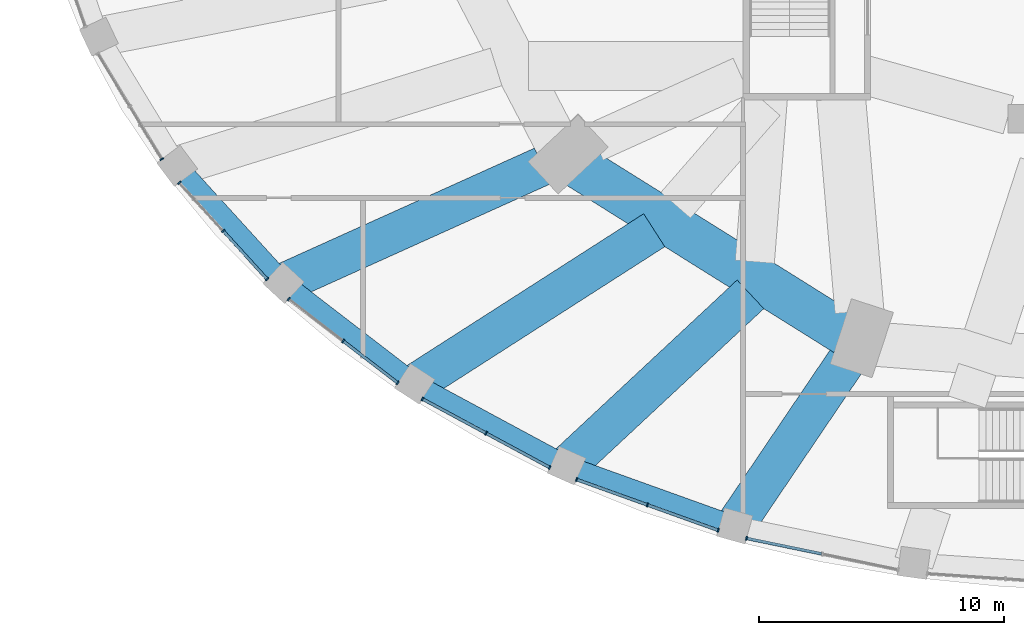
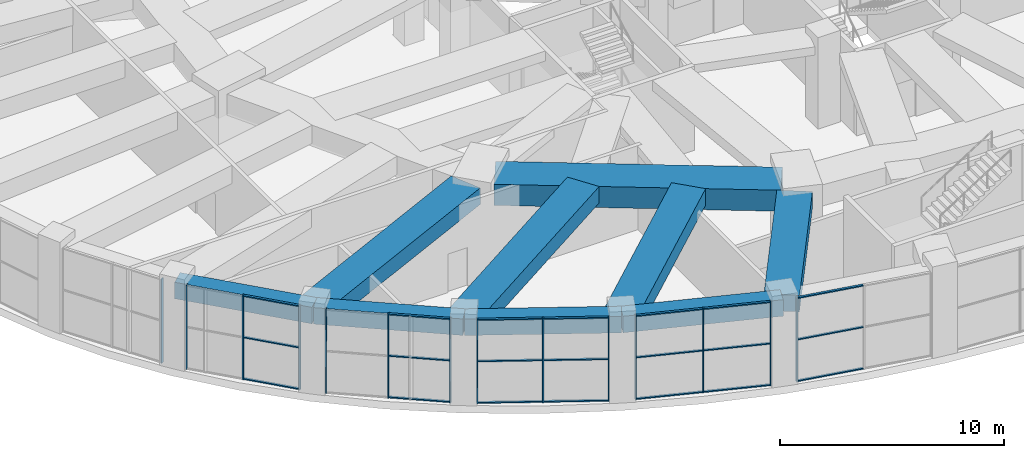
# One storey, part 2 of 32: 35 members, 9 beams, 6 elements without a shape of their own.
"""IFC4 building model written with IfcOpenShell, lengths in metres."""

import ifcopenshell
import ifcopenshell.guid

model = None  # the IFC model being written
_history = None  # IfcOwnerHistory: only IFC2X3 demands one
_inside = {}  # id of a spatial element -> (the spatial element, [elements in it])
_under = {}  # id of a project, library or spatial element -> (it, [spatial elements below it])
_declared = {}  # id of a project -> (the project, [libraries it declares])
_typed = {}  # id of a type object -> (the type object, [elements of that type])
_made_of = {}  # id of a material, layer set ... -> (it, [elements and type objects made of it])


def new_model(schema):
    """Start an empty IFC model of exactly this schema.

    Asked for "IFC4X3", IfcOpenShell would pick the latest addendum, in which some entities
    have other attributes; the version numbers below select the first issue.
    IFC2X3 requires an IfcOwnerHistory on every rooted entity: one is made here for all.
    """
    global model, _history
    if schema == "IFC4X3":
        model = ifcopenshell.file(schema_version=(4, 3, 0, 0))
    else:
        model = ifcopenshell.file(schema=schema)
    _inside.clear()
    _under.clear()
    _declared.clear()
    _typed.clear()
    _made_of.clear()
    _history = None
    if model.schema == "IFC2X3":
        org = make("IfcOrganization", Name="unknown")
        user = make(
            "IfcPersonAndOrganization",
            ThePerson=make("IfcPerson", FamilyName="unknown"),
            TheOrganization=org,
        )
        app = make(
            "IfcApplication",
            ApplicationDeveloper=org,
            Version="unknown",
            ApplicationFullName="unknown",
            ApplicationIdentifier="unknown",
        )
        _history = make(
            "IfcOwnerHistory",
            OwningUser=user,
            OwningApplication=app,
            ChangeAction="ADDED",
            CreationDate=0,
        )
    return model


def make(cls, **values):
    """One entity of the class cls with the attributes given. An attribute that is None is left unset."""
    return model.create_entity(
        cls, **{name: value for name, value in values.items() if value is not None}
    )


def rooted(cls, **values):
    """An entity with a GlobalId (a new one), such as an element, a storey or a relation."""
    return make(cls, GlobalId=ifcopenshell.guid.new(), OwnerHistory=_history, **values)


def si_unit(unit_type, name, prefix=None):
    """IfcSIUnit, for example si_unit("LENGTHUNIT", "METRE", prefix="MILLI")."""
    return make("IfcSIUnit", UnitType=unit_type, Prefix=prefix, Name=name)


def assignment(units):
    """IfcUnitAssignment: the units of a project."""
    return None if units is None else make("IfcUnitAssignment", Units=units)


def point(xyz):
    """IfcCartesianPoint."""
    return None if xyz is None else make("IfcCartesianPoint", Coordinates=xyz)


def direction(xyz):
    """IfcDirection."""
    return None if xyz is None else make("IfcDirection", DirectionRatios=xyz)


def frame(location, z_axis=None, x_axis=None):
    """IfcAxis2Placement3D, a coordinate frame: its origin and axes. An axis left out is left unset."""
    return make(
        "IfcAxis2Placement3D",
        Location=point(location),
        Axis=direction(z_axis),
        RefDirection=direction(x_axis),
    )


def frame_2d(location, x_axis=None):
    """IfcAxis2Placement2D, a coordinate frame in the plane: its origin and x axis."""
    return make(
        "IfcAxis2Placement2D", Location=point(location), RefDirection=direction(x_axis)
    )


def origin():
    """The frame at (0, 0, 0) with its axes left unset."""
    return frame((0.0, 0.0, 0.0))


def origin_2d():
    """The frame at (0, 0) in the plane with its x axis left unset."""
    return frame_2d((0.0, 0.0))


def place(relative_to, where):
    """IfcLocalPlacement: puts the frame where relative to a parent placement (None: the world)."""
    return make(
        "IfcLocalPlacement", PlacementRelTo=relative_to, RelativePlacement=where
    )


def context(
    kind, dimensions, precision=None, world=None, true_north=None, identifier=None
):
    """IfcGeometricRepresentationContext, for example the 3D "Model" context."""
    return make(
        "IfcGeometricRepresentationContext",
        ContextIdentifier=identifier,
        ContextType=kind,
        CoordinateSpaceDimension=dimensions,
        Precision=precision,
        WorldCoordinateSystem=world,
        TrueNorth=true_north,
    )


def subcontext(parent, identifier, kind, view, scale=None):
    """IfcGeometricRepresentationSubContext, for example "Body" below "Model"."""
    return make(
        "IfcGeometricRepresentationSubContext",
        ContextIdentifier=identifier,
        ContextType=kind,
        ParentContext=parent,
        TargetScale=scale,
        TargetView=view,
    )


def project(units=None, contexts=None):
    """IfcProject with its units and contexts."""
    return rooted(
        "IfcProject",
        Name="project",
        RepresentationContexts=contexts,
        UnitsInContext=assignment(units),
    )


def spatial(cls, under=None, at=None, **own):
    """A site, building, storey or space (cls), placed at a placement, below another one or the project."""
    s = rooted(cls, ObjectPlacement=at, **own)
    if under is not None:
        _under.setdefault(under.id(), (under, []))[1].append(s)
    return s


def profile(cls, at=None, kind="AREA", **sizes):
    """A parametric profile (cls). Its sizes go by their IFC names, for example OverallWidth=200.0."""
    return make(cls, ProfileType=kind, Position=at, **sizes)


def rectangle(**sizes):
    """IfcRectangleProfileDef."""
    return profile("IfcRectangleProfileDef", **sizes)


def extrude(swept, where, along, depth):
    """IfcExtrudedAreaSolid: the profile swept, set in the frame where, extruded along a direction by depth."""
    return make(
        "IfcExtrudedAreaSolid",
        SweptArea=swept,
        Position=where,
        ExtrudedDirection=direction(along),
        Depth=depth,
    )


def shape(context_of_items, identifier, shape_type, items):
    """IfcShapeRepresentation: the items that make up one representation, for example the "Body"."""
    return make(
        "IfcShapeRepresentation",
        ContextOfItems=context_of_items,
        RepresentationIdentifier=identifier,
        RepresentationType=shape_type,
        Items=items,
    )


def material(Name=None, Category=None):
    """IfcMaterial."""
    return make("IfcMaterial", Name=Name, Category=Category)


def material_profile(
    of_material, cross_section, Name=None, Category=None, Priority=None
):
    """IfcMaterialProfile: a cross section and its material."""
    return make(
        "IfcMaterialProfile",
        Name=Name,
        Material=of_material,
        Profile=cross_section,
        Priority=Priority,
        Category=Category,
    )


def profile_set(profiles, Name=None, composite=None):
    """IfcMaterialProfileSet."""
    return make(
        "IfcMaterialProfileSet",
        Name=Name,
        MaterialProfiles=profiles,
        CompositeProfile=composite,
    )


def made_of(thing, what):
    """Note that an element or type object is made of a material, layer set ...; save() writes the relation."""
    if what is not None:
        _made_of.setdefault(what.id(), (what, []))[1].append(thing)
    return thing


def type_object(cls, material=None, **own):
    """A type object (cls), such as IfcWallType, which elements share."""
    return made_of(rooted(cls, **own), material)


def element(
    cls,
    number,
    at=None,
    inside=None,
    cuts=None,
    type_object=None,
    material=None,
    context=None,
    identifier="Body",
    shape_type=None,
    held_by="IfcProductDefinitionShape",
    body=None,
    shapes=None,
    **own,
):
    """One element of the class cls, such as IfcWall. Its Tag is "e" and its number.

    at: its placement. inside: the storey or other place that contains it. cuts: it is an
    opening in that element (IfcRelVoidsElement). A single representation is given by context,
    identifier, shape_type and body (its items); several are given by shapes. held_by: the class
    of the entity that holds the representations. save() writes the other relations.
    """
    e = rooted(cls, Tag="e%d" % number, ObjectPlacement=at, **own)
    if body is not None:
        shapes = [shape(context, identifier, shape_type, body)]
    if shapes is not None:
        e.Representation = make(held_by, Representations=shapes)
    if inside is not None:
        _inside.setdefault(inside.id(), (inside, []))[1].append(e)
    if cuts is not None:
        rooted(
            "IfcRelVoidsElement", RelatingBuildingElement=cuts, RelatedOpeningElement=e
        )
    if type_object is not None:
        _typed.setdefault(type_object.id(), (type_object, []))[1].append(e)
    return made_of(e, material)


def aggregate(whole, parts):
    """IfcRelAggregates: a whole, such as a stair, and the parts it consists of."""
    return rooted("IfcRelAggregates", RelatingObject=whole, RelatedObjects=parts)


def save(model, path):
    """Write the relations noted so far, then the file.

    IfcRelAggregates (storeys below a building ...), IfcRelContainedInSpatialStructure (elements
    in a storey), IfcRelDefinesByType, IfcRelAssociatesMaterial and IfcRelDeclares: one each for
    every whole, place, type object, material and project.
    """
    for whole, parts in _under.values():
        aggregate(whole, parts)
    for where, things in _inside.values():
        rooted(
            "IfcRelContainedInSpatialStructure",
            RelatedElements=things,
            RelatingStructure=where,
        )
    for kind, things in _typed.values():
        rooted("IfcRelDefinesByType", RelatedObjects=things, RelatingType=kind)
    for what, things in _made_of.values():
        rooted("IfcRelAssociatesMaterial", RelatedObjects=things, RelatingMaterial=what)
    for by, libraries in _declared.values():
        rooted("IfcRelDeclares", RelatingContext=by, RelatedDefinitions=libraries)
    model.write(path)


model = new_model("IFC4")

# Units and contexts
model_context = context("Model", 3, precision=1e-05, world=origin(), true_north=direction((0.0, 1.0)))
body_context = subcontext(model_context, "Body", "Model", "MODEL_VIEW")
ifc_project = project(units=[si_unit("LENGTHUNIT", "METRE"), si_unit("AREAUNIT", "SQUARE_METRE"), si_unit("VOLUMEUNIT", "CUBIC_METRE"), si_unit("PLANEANGLEUNIT", "RADIAN"), si_unit("MASSUNIT", "GRAM", prefix="KILO")], contexts=[model_context])

# Site, building, storey
site_placement = place(None, origin())
site = spatial("IfcSite", under=ifc_project, at=site_placement, CompositionType="ELEMENT")
building_placement = place(site_placement, origin())
building = spatial("IfcBuilding", under=site, at=building_placement, Name="Taillehof Tower", CompositionType="ELEMENT")
storey_placement = place(building_placement, frame((0.0, 0.0, 7.5)))
storey = spatial("IfcBuildingStorey", under=building, at=storey_placement, Name="L01", CompositionType="ELEMENT", Elevation=7.5)

# Beams
ifc_material_1 = material(Name="Concrete C50/60", Category="concrete")
ifc_material_profile_1 = material_profile(ifc_material_1, rectangle(XDim=0.800048828125, YDim=0.89990234375, at=origin_2d()), Name="RC 800x900")
ifc_profile_set_1 = profile_set([ifc_material_profile_1], Name="Concrete C50/60")
beam_type_1 = type_object("IfcBeamType", Name="Podium edge beam C50/60 800x900", PredefinedType="BEAM", material=ifc_profile_set_1)
beam_1_placement = place(storey_placement, frame((-37.58544921875, -16.699951171875, 4.139892578125), z_axis=(0.67297994181, -0.739660731634, 0.0), x_axis=(0.739660731634, 0.67297994181, 0.0)))
element("IfcBeam", 1, at=beam_1_placement, inside=storey, type_object=beam_type_1, Name="Podium edge beam PB22", PredefinedType="BEAM", context=body_context, shape_type="SweptSolid", body=[
    extrude(rectangle(XDim=0.800048828125, YDim=0.89990234375, at=origin_2d()), origin(), (0.0, 0.0, 1.0), 6.447509765625),
])
beam_2_placement = place(storey_placement, frame((-33.246337890625, -21.468994140625, 4.139892578125), z_axis=(0.79247741179, -0.609901263978, 0.0), x_axis=(0.609901263978, 0.79247741179, 0.0)))
element("IfcBeam", 2, at=beam_2_placement, inside=storey, type_object=beam_type_1, Name="Podium edge beam PB23", PredefinedType="BEAM", context=body_context, shape_type="SweptSolid", body=[
    extrude(rectangle(XDim=0.800048828125, YDim=0.89990234375, at=origin_2d()), origin(), (0.0, 0.0, 1.0), 6.750244140625),
])
beam_3_placement = place(storey_placement, frame((-27.89697265625, -25.5859375, 4.139892578125), z_axis=(0.880322944269, -0.474374866317, 0.0), x_axis=(0.474374866317, 0.880322944269, 0.0)))
element("IfcBeam", 3, at=beam_3_placement, inside=storey, type_object=beam_type_1, Name="Podium edge beam PB24", PredefinedType="BEAM", context=body_context, shape_type="SweptSolid", body=[
    extrude(rectangle(XDim=0.800048828125, YDim=0.89990234375, at=origin_2d()), origin(), (0.0, 0.0, 1.0), 7.03955078125),
])
beam_4_placement = place(storey_placement, frame((-21.699951171875, -28.92529296875, 4.139892578125), z_axis=(0.941227460002, -0.337773398209, 0.0), x_axis=(0.337773398209, 0.941227460002, 0.0)))
element("IfcBeam", 4, at=beam_4_placement, inside=storey, type_object=beam_type_1, Name="Podium edge beam PB25", PredefinedType="BEAM", context=body_context, shape_type="SweptSolid", body=[
    extrude(rectangle(XDim=0.800048828125, YDim=0.89990234375, at=origin_2d()), origin(), (0.0, 0.0, 1.0), 7.284423828125),
])
ifc_material_2 = material(Name="Concrete C50/60", Category="concrete")
ifc_material_profile_2 = material_profile(ifc_material_2, rectangle(XDim=1.60009765625, YDim=0.89990234375, at=origin_2d()), Name="RC 1600x900")
ifc_profile_set_2 = profile_set([ifc_material_profile_2], Name="Concrete C50/60")
beam_type_2 = type_object("IfcBeamType", Name="Podium radial beam C50/60 1600x900", PredefinedType="BEAM", material=ifc_profile_set_2)
beam_5_placement = place(storey_placement, frame((-33.246337890625, -21.468994140625, 4.139892578125), z_axis=(0.911450628646, 0.411409469436, 0.0), x_axis=(-0.411409469436, 0.911450628646, 0.0)))
element("IfcBeam", 5, at=beam_5_placement, inside=storey, type_object=beam_type_2, Name="Podium radial beam PR23", PredefinedType="BEAM", context=body_context, shape_type="SweptSolid", body=[
    extrude(rectangle(XDim=1.60009765625, YDim=0.89990234375, at=origin_2d()), origin(), (0.0, 0.0, 1.0), 11.58837890625),
])
beam_6_placement = place(storey_placement, frame((-27.89697265625, -25.5859375, 4.139892578125), z_axis=(0.841846298209, 0.539717342867, 0.0), x_axis=(-0.539717342867, 0.841846298209, 0.0)))
element("IfcBeam", 6, at=beam_6_placement, inside=storey, type_object=beam_type_2, Name="Podium radial beam PR24", PredefinedType="BEAM", context=body_context, shape_type="SweptSolid", body=[
    extrude(rectangle(XDim=1.60009765625, YDim=0.89990234375, at=origin_2d()), origin(), (0.0, 0.0, 1.0), 11.60546875),
])
beam_7_placement = place(storey_placement, frame((-21.699951171875, -28.92529296875, 4.139892578125), z_axis=(0.731628479701, 0.681703577583, 0.0), x_axis=(-0.681703577583, 0.731628479701, 0.0)))
element("IfcBeam", 7, at=beam_7_placement, inside=storey, type_object=beam_type_2, Name="Podium radial beam PR25", PredefinedType="BEAM", context=body_context, shape_type="SweptSolid", body=[
    extrude(rectangle(XDim=1.60009765625, YDim=0.89990234375, at=origin_2d()), origin(), (0.0, 0.0, 1.0), 10.249755859375),
])
beam_8_placement = place(storey_placement, frame((-14.84375, -31.3857421875, 4.139892578125), z_axis=(0.560381534031, 0.828234590147, 0.0), x_axis=(-0.828234590147, 0.560381534031, 0.0)))
element("IfcBeam", 8, at=beam_8_placement, inside=storey, type_object=beam_type_2, Name="Podium radial beam PR26", PredefinedType="BEAM", context=body_context, shape_type="SweptSolid", body=[
    extrude(rectangle(XDim=1.60009765625, YDim=0.89990234375, at=origin_2d()), origin(), (0.0, 0.0, 1.0), 8.123046875),
])

# Curtain wall, member
ifc_material_3 = material(Name="Aluminium curtain wall with Clear low-emissivity double glazing", Category="aluminium")
curtain_wall_type = type_object("IfcCurtainWallType", Name="Podium window wall curtain wall", PredefinedType="USERDEFINED", material=ifc_material_3)
curtain_wall_1_placement = place(storey_placement, origin())
curtain_wall_1 = element("IfcCurtainWall", 9, at=curtain_wall_1_placement, inside=storey, type_object=curtain_wall_type, Name="Podium window wall L01 bay 21", ObjectType="WINDOW WALL", PredefinedType="USERDEFINED")
ifc_material_4 = material(Name="Aluminium mullion", Category="aluminium")
ifc_material_profile_3 = material_profile(ifc_material_4, rectangle(XDim=0.159912109375, YDim=0.06005859375, at=origin_2d()), Name="AL 60x160")
ifc_profile_set_3 = profile_set([ifc_material_profile_3], Name="Aluminium mullion")
member_type_1 = type_object("IfcMemberType", Name="Podium window wall mullion 60x160", PredefinedType="MULLION", material=ifc_profile_set_3)
member_1_placement = place(storey_placement, frame((-38.217529296875, -16.42333984375, 0.0), z_axis=(0.0, 0.0, 1.0), x_axis=(0.855288863309, 0.518151483931, 0.0)))
member_1 = element("IfcMember", 10, at=member_1_placement, type_object=member_type_1, Name="CT221 mullion 3", PredefinedType="MULLION", context=body_context, shape_type="SweptSolid", body=[
    extrude(rectangle(XDim=0.159912109375, YDim=0.06005859375, at=origin_2d()), origin(), (0.0, 0.0, 1.0), 4.590087890625),
])
aggregate(curtain_wall_1, [member_1])

# Curtain wall, members
curtain_wall_2_placement = place(storey_placement, origin())
curtain_wall_2 = element("IfcCurtainWall", 11, at=curtain_wall_2_placement, inside=storey, type_object=curtain_wall_type, Name="Podium window wall L01 bay 22", ObjectType="WINDOW WALL", PredefinedType="USERDEFINED")
member_2_placement = place(storey_placement, frame((-37.49951171875, -17.384765625, 0.0), z_axis=(0.0, 0.0, 1.0), x_axis=(0.739707112587, 0.672928961769, 0.0)))
member_2 = element("IfcMember", 12, at=member_2_placement, type_object=member_type_1, Name="CT222 mullion 1", PredefinedType="MULLION", context=body_context, shape_type="SweptSolid", body=[
    extrude(rectangle(XDim=0.159912109375, YDim=0.06005859375, at=origin_2d()), origin(), (0.0, 0.0, 1.0), 4.590087890625),
])
member_3_placement = place(storey_placement, frame((-35.7109375, -19.35107421875, 0.0), z_axis=(0.0, 0.0, 1.0), x_axis=(0.739707112587, 0.672928961769, 0.0)))
member_3 = element("IfcMember", 13, at=member_3_placement, type_object=member_type_1, Name="CT222 mullion 2", PredefinedType="MULLION", context=body_context, shape_type="SweptSolid", body=[
    extrude(rectangle(XDim=0.159912109375, YDim=0.06005859375, at=origin_2d()), origin(), (0.0, 0.0, 1.0), 4.590087890625),
])
member_4_placement = place(storey_placement, frame((-33.922119140625, -21.317138671875, 0.0), z_axis=(0.0, 0.0, 1.0), x_axis=(0.739707112587, 0.672928961769, 0.0)))
member_4 = element("IfcMember", 14, at=member_4_placement, type_object=member_type_1, Name="CT222 mullion 3", PredefinedType="MULLION", context=body_context, shape_type="SweptSolid", body=[
    extrude(rectangle(XDim=0.159912109375, YDim=0.06005859375, at=origin_2d()), origin(), (0.0, 0.0, 1.0), 4.590087890625),
])

curtain_wall_3_placement = place(storey_placement, origin())
curtain_wall_3 = element("IfcCurtainWall", 15, at=curtain_wall_3_placement, inside=storey, type_object=curtain_wall_type, Name="Podium window wall L01 bay 23", ObjectType="WINDOW WALL", PredefinedType="USERDEFINED")
member_5_placement = place(storey_placement, frame((-33.03955078125, -22.130126953125, 0.0), z_axis=(0.0, 0.0, 1.0), x_axis=(0.60993206075, 0.792453709228, 0.0)))
member_5 = element("IfcMember", 16, at=member_5_placement, type_object=member_type_1, Name="CT223 mullion 1", PredefinedType="MULLION", context=body_context, shape_type="SweptSolid", body=[
    extrude(rectangle(XDim=0.159912109375, YDim=0.06005859375, at=origin_2d()), origin(), (0.0, 0.0, 1.0), 4.590087890625),
])
member_6_placement = place(storey_placement, frame((-30.8154296875, -23.842041015625, 0.0), z_axis=(0.0, 0.0, 1.0), x_axis=(0.60993206075, 0.792453709228, 0.0)))
member_6 = element("IfcMember", 17, at=member_6_placement, type_object=member_type_1, Name="CT223 mullion 2", PredefinedType="MULLION", context=body_context, shape_type="SweptSolid", body=[
    extrude(rectangle(XDim=0.159912109375, YDim=0.06005859375, at=origin_2d()), origin(), (0.0, 0.0, 1.0), 4.590087890625),
])
member_7_placement = place(storey_placement, frame((-28.59130859375, -25.5537109375, 0.0), z_axis=(0.0, 0.0, 1.0), x_axis=(0.60993206075, 0.792453709228, 0.0)))
member_7 = element("IfcMember", 18, at=member_7_placement, type_object=member_type_1, Name="CT223 mullion 3", PredefinedType="MULLION", context=body_context, shape_type="SweptSolid", body=[
    extrude(rectangle(XDim=0.159912109375, YDim=0.06005859375, at=origin_2d()), origin(), (0.0, 0.0, 1.0), 4.590087890625),
])

curtain_wall_4_placement = place(storey_placement, origin())
curtain_wall_4 = element("IfcCurtainWall", 19, at=curtain_wall_4_placement, inside=storey, type_object=curtain_wall_type, Name="Podium window wall L01 bay 24", ObjectType="WINDOW WALL", PredefinedType="USERDEFINED")
member_8_placement = place(storey_placement, frame((-27.584228515625, -26.20654296875, 0.0), z_axis=(0.0, 0.0, 1.0), x_axis=(0.474414781992, 0.880301433958, 0.0)))
member_8 = element("IfcMember", 20, at=member_8_placement, type_object=member_type_1, Name="CT224 mullion 1", PredefinedType="MULLION", context=body_context, shape_type="SweptSolid", body=[
    extrude(rectangle(XDim=0.159912109375, YDim=0.06005859375, at=origin_2d()), origin(), (0.0, 0.0, 1.0), 4.590087890625),
])
member_9_placement = place(storey_placement, frame((-24.98828125, -27.60546875, 0.0), z_axis=(0.0, 0.0, 1.0), x_axis=(0.474414781992, 0.880301433958, 0.0)))
member_9 = element("IfcMember", 21, at=member_9_placement, type_object=member_type_1, Name="CT224 mullion 2", PredefinedType="MULLION", context=body_context, shape_type="SweptSolid", body=[
    extrude(rectangle(XDim=0.159912109375, YDim=0.06005859375, at=origin_2d()), origin(), (0.0, 0.0, 1.0), 4.590087890625),
])
member_10_placement = place(storey_placement, frame((-22.392333984375, -29.004638671875, 0.0), z_axis=(0.0, 0.0, 1.0), x_axis=(0.474414781992, 0.880301433958, 0.0)))
member_10 = element("IfcMember", 22, at=member_10_placement, type_object=member_type_1, Name="CT224 mullion 3", PredefinedType="MULLION", context=body_context, shape_type="SweptSolid", body=[
    extrude(rectangle(XDim=0.159912109375, YDim=0.06005859375, at=origin_2d()), origin(), (0.0, 0.0, 1.0), 4.590087890625),
])

curtain_wall_5_placement = place(storey_placement, origin())
curtain_wall_5 = element("IfcCurtainWall", 23, at=curtain_wall_5_placement, inside=storey, type_object=curtain_wall_type, Name="Podium window wall L01 bay 25", ObjectType="WINDOW WALL", PredefinedType="USERDEFINED")
member_11_placement = place(storey_placement, frame((-21.29638671875, -29.4931640625, 0.0), z_axis=(0.0, 0.0, 1.0), x_axis=(0.337798502496, 0.94121845058, 0.0)))
member_11 = element("IfcMember", 24, at=member_11_placement, type_object=member_type_1, Name="CT225 mullion 1", PredefinedType="MULLION", context=body_context, shape_type="SweptSolid", body=[
    extrude(rectangle(XDim=0.159912109375, YDim=0.06005859375, at=origin_2d()), origin(), (0.0, 0.0, 1.0), 4.590087890625),
])
member_12_placement = place(storey_placement, frame((-18.4072265625, -30.5302734375, 0.0), z_axis=(0.0, 0.0, 1.0), x_axis=(0.337798502496, 0.94121845058, 0.0)))
member_12 = element("IfcMember", 25, at=member_12_placement, type_object=member_type_1, Name="CT225 mullion 2", PredefinedType="MULLION", context=body_context, shape_type="SweptSolid", body=[
    extrude(rectangle(XDim=0.159912109375, YDim=0.06005859375, at=origin_2d()), origin(), (0.0, 0.0, 1.0), 4.590087890625),
])
member_13_placement = place(storey_placement, frame((-15.51806640625, -31.567138671875, 0.0), z_axis=(0.0, 0.0, 1.0), x_axis=(0.337798502496, 0.94121845058, 0.0)))
member_13 = element("IfcMember", 26, at=member_13_placement, type_object=member_type_1, Name="CT225 mullion 3", PredefinedType="MULLION", context=body_context, shape_type="SweptSolid", body=[
    extrude(rectangle(XDim=0.159912109375, YDim=0.06005859375, at=origin_2d()), origin(), (0.0, 0.0, 1.0), 4.590087890625),
])

# Curtain wall, member
curtain_wall_6_placement = place(storey_placement, origin())
curtain_wall_6 = element("IfcCurtainWall", 27, at=curtain_wall_6_placement, inside=storey, type_object=curtain_wall_type, Name="Podium window wall L01 bay 26", ObjectType="WINDOW WALL", PredefinedType="USERDEFINED")
member_14_placement = place(storey_placement, frame((-14.36279296875, -31.891845703125, 0.0), z_axis=(0.0, 0.0, 1.0), x_axis=(0.201976001877, 0.97939047099, 0.0)))
member_14 = element("IfcMember", 28, at=member_14_placement, type_object=member_type_1, Name="CT226 mullion 1", PredefinedType="MULLION", context=body_context, shape_type="SweptSolid", body=[
    extrude(rectangle(XDim=0.159912109375, YDim=0.06005859375, at=origin_2d()), origin(), (0.0, 0.0, 1.0), 4.590087890625),
])

# Member
ifc_material_5 = material(Name="Aluminium transom", Category="aluminium")
ifc_material_profile_4 = material_profile(ifc_material_5, rectangle(XDim=0.1201171875, YDim=0.06005859375, at=origin_2d()), Name="AL 120x60")
ifc_profile_set_4 = profile_set([ifc_material_profile_4], Name="Aluminium transom")
member_type_2 = type_object("IfcMemberType", Name="Podium window wall transom 120x60", PredefinedType="USERDEFINED", material=ifc_profile_set_4)
member_15_placement = place(storey_placement, frame((-35.690673828125, -19.373291015625, 0.030029296875), z_axis=(0.672958072108, -0.73968062918, 0.0), x_axis=(0.73968062918, 0.672958072108, 0.0)))
member_15 = element("IfcMember", 29, at=member_15_placement, type_object=member_type_2, Name="CT222 transom 2.1", ObjectType="TRANSOM", PredefinedType="USERDEFINED", context=body_context, shape_type="SweptSolid", body=[
    extrude(rectangle(XDim=0.1201171875, YDim=0.06005859375, at=origin_2d()), origin(), (0.0, 0.0, 1.0), 2.597900390625),
])

member_16_placement = place(storey_placement, frame((-35.690673828125, -19.373291015625, 2.294921875), z_axis=(0.672958072108, -0.73968062918, 0.0), x_axis=(0.73968062918, 0.672958072108, 0.0)))
member_16 = element("IfcMember", 30, at=member_16_placement, type_object=member_type_2, Name="CT222 transom 2.2", ObjectType="TRANSOM", PredefinedType="USERDEFINED", context=body_context, shape_type="SweptSolid", body=[
    extrude(rectangle(XDim=0.1201171875, YDim=0.06005859375, at=origin_2d()), origin(), (0.0, 0.0, 1.0), 2.597900390625),
])

member_17_placement = place(storey_placement, frame((-35.690673828125, -19.373291015625, 4.56005859375), z_axis=(0.672958072108, -0.73968062918, 0.0), x_axis=(0.73968062918, 0.672958072108, 0.0)))
member_17 = element("IfcMember", 31, at=member_17_placement, type_object=member_type_2, Name="CT222 transom 2.3", ObjectType="TRANSOM", PredefinedType="USERDEFINED", context=body_context, shape_type="SweptSolid", body=[
    extrude(rectangle(XDim=0.1201171875, YDim=0.06005859375, at=origin_2d()), origin(), (0.0, 0.0, 1.0), 2.597900390625),
])

aggregate(curtain_wall_2, [member_2, member_3, member_4, member_15, member_16, member_17])

member_18_placement = place(storey_placement, frame((-30.79150390625, -23.8603515625, 0.030029296875), z_axis=(0.792481870823, -0.609895470075, 0.0), x_axis=(0.609895470075, 0.792481870823, 0.0)))
member_18 = element("IfcMember", 32, at=member_18_placement, type_object=member_type_2, Name="CT223 transom 2.1", ObjectType="TRANSOM", PredefinedType="USERDEFINED", context=body_context, shape_type="SweptSolid", body=[
    extrude(rectangle(XDim=0.1201171875, YDim=0.06005859375, at=origin_2d()), origin(), (0.0, 0.0, 1.0), 2.746337890625),
])

member_19_placement = place(storey_placement, frame((-30.79150390625, -23.8603515625, 2.294921875), z_axis=(0.792481870823, -0.609895470075, 0.0), x_axis=(0.609895470075, 0.792481870823, 0.0)))
member_19 = element("IfcMember", 33, at=member_19_placement, type_object=member_type_2, Name="CT223 transom 2.2", ObjectType="TRANSOM", PredefinedType="USERDEFINED", context=body_context, shape_type="SweptSolid", body=[
    extrude(rectangle(XDim=0.1201171875, YDim=0.06005859375, at=origin_2d()), origin(), (0.0, 0.0, 1.0), 2.746337890625),
])

member_20_placement = place(storey_placement, frame((-30.79150390625, -23.8603515625, 4.56005859375), z_axis=(0.792481870823, -0.609895470075, 0.0), x_axis=(0.609895470075, 0.792481870823, 0.0)))
member_20 = element("IfcMember", 34, at=member_20_placement, type_object=member_type_2, Name="CT223 transom 2.3", ObjectType="TRANSOM", PredefinedType="USERDEFINED", context=body_context, shape_type="SweptSolid", body=[
    extrude(rectangle(XDim=0.1201171875, YDim=0.06005859375, at=origin_2d()), origin(), (0.0, 0.0, 1.0), 2.746337890625),
])

aggregate(curtain_wall_3, [member_5, member_6, member_7, member_18, member_19, member_20])

member_21_placement = place(storey_placement, frame((-27.557861328125, -26.220703125, 0.030029296875), z_axis=(0.880281070202, -0.474452566063, 0.0), x_axis=(0.474452566063, 0.880281070202, 0.0)))
member_21 = element("IfcMember", 35, at=member_21_placement, type_object=member_type_2, Name="CT224 transom 1.1", ObjectType="TRANSOM", PredefinedType="USERDEFINED", context=body_context, shape_type="SweptSolid", body=[
    extrude(rectangle(XDim=0.1201171875, YDim=0.06005859375, at=origin_2d()), origin(), (0.0, 0.0, 1.0), 2.888916015625),
])

member_22_placement = place(storey_placement, frame((-27.557861328125, -26.220703125, 2.294921875), z_axis=(0.880281070202, -0.474452566063, 0.0), x_axis=(0.474452566063, 0.880281070202, 0.0)))
member_22 = element("IfcMember", 36, at=member_22_placement, type_object=member_type_2, Name="CT224 transom 1.2", ObjectType="TRANSOM", PredefinedType="USERDEFINED", context=body_context, shape_type="SweptSolid", body=[
    extrude(rectangle(XDim=0.1201171875, YDim=0.06005859375, at=origin_2d()), origin(), (0.0, 0.0, 1.0), 2.888916015625),
])

member_23_placement = place(storey_placement, frame((-27.557861328125, -26.220703125, 4.56005859375), z_axis=(0.880281070202, -0.474452566063, 0.0), x_axis=(0.474452566063, 0.880281070202, 0.0)))
member_23 = element("IfcMember", 37, at=member_23_placement, type_object=member_type_2, Name="CT224 transom 1.3", ObjectType="TRANSOM", PredefinedType="USERDEFINED", context=body_context, shape_type="SweptSolid", body=[
    extrude(rectangle(XDim=0.1201171875, YDim=0.06005859375, at=origin_2d()), origin(), (0.0, 0.0, 1.0), 2.888916015625),
])

member_24_placement = place(storey_placement, frame((-24.9619140625, -27.619873046875, 0.030029296875), z_axis=(0.880300092261, -0.474417271571, 0.0), x_axis=(0.474417271571, 0.880300092261, 0.0)))
member_24 = element("IfcMember", 38, at=member_24_placement, type_object=member_type_2, Name="CT224 transom 2.1", ObjectType="TRANSOM", PredefinedType="USERDEFINED", context=body_context, shape_type="SweptSolid", body=[
    extrude(rectangle(XDim=0.1201171875, YDim=0.06005859375, at=origin_2d()), origin(), (0.0, 0.0, 1.0), 2.888916015625),
])

member_25_placement = place(storey_placement, frame((-24.9619140625, -27.619873046875, 2.294921875), z_axis=(0.880300092261, -0.474417271571, 0.0), x_axis=(0.474417271571, 0.880300092261, 0.0)))
member_25 = element("IfcMember", 39, at=member_25_placement, type_object=member_type_2, Name="CT224 transom 2.2", ObjectType="TRANSOM", PredefinedType="USERDEFINED", context=body_context, shape_type="SweptSolid", body=[
    extrude(rectangle(XDim=0.1201171875, YDim=0.06005859375, at=origin_2d()), origin(), (0.0, 0.0, 1.0), 2.888916015625),
])

member_26_placement = place(storey_placement, frame((-24.9619140625, -27.619873046875, 4.56005859375), z_axis=(0.880300092261, -0.474417271571, 0.0), x_axis=(0.474417271571, 0.880300092261, 0.0)))
member_26 = element("IfcMember", 40, at=member_26_placement, type_object=member_type_2, Name="CT224 transom 2.3", ObjectType="TRANSOM", PredefinedType="USERDEFINED", context=body_context, shape_type="SweptSolid", body=[
    extrude(rectangle(XDim=0.1201171875, YDim=0.06005859375, at=origin_2d()), origin(), (0.0, 0.0, 1.0), 2.888916015625),
])

aggregate(curtain_wall_4, [member_8, member_9, member_10, member_21, member_22, member_23, member_24, member_25, member_26])

member_27_placement = place(storey_placement, frame((-21.26806640625, -29.50341796875, 0.030029296875), z_axis=(0.941215836147, -0.337805787081, 0.0), x_axis=(0.337805787081, 0.941215836147, 0.0)))
member_27 = element("IfcMember", 41, at=member_27_placement, type_object=member_type_2, Name="CT225 transom 1.1", ObjectType="TRANSOM", PredefinedType="USERDEFINED", context=body_context, shape_type="SweptSolid", body=[
    extrude(rectangle(XDim=0.1201171875, YDim=0.06005859375, at=origin_2d()), origin(), (0.0, 0.0, 1.0), 3.009521484375),
])

member_28_placement = place(storey_placement, frame((-21.26806640625, -29.50341796875, 2.294921875), z_axis=(0.941215836147, -0.337805787081, 0.0), x_axis=(0.337805787081, 0.941215836147, 0.0)))
member_28 = element("IfcMember", 42, at=member_28_placement, type_object=member_type_2, Name="CT225 transom 1.2", ObjectType="TRANSOM", PredefinedType="USERDEFINED", context=body_context, shape_type="SweptSolid", body=[
    extrude(rectangle(XDim=0.1201171875, YDim=0.06005859375, at=origin_2d()), origin(), (0.0, 0.0, 1.0), 3.009521484375),
])

member_29_placement = place(storey_placement, frame((-21.26806640625, -29.50341796875, 4.56005859375), z_axis=(0.941215836147, -0.337805787081, 0.0), x_axis=(0.337805787081, 0.941215836147, 0.0)))
member_29 = element("IfcMember", 43, at=member_29_placement, type_object=member_type_2, Name="CT225 transom 1.3", ObjectType="TRANSOM", PredefinedType="USERDEFINED", context=body_context, shape_type="SweptSolid", body=[
    extrude(rectangle(XDim=0.1201171875, YDim=0.06005859375, at=origin_2d()), origin(), (0.0, 0.0, 1.0), 3.009521484375),
])

member_30_placement = place(storey_placement, frame((-18.37890625, -30.540283203125, 0.030029296875), z_axis=(0.941225092519, -0.337779995281, 0.0), x_axis=(0.337779995281, 0.941225092519, 0.0)))
member_30 = element("IfcMember", 44, at=member_30_placement, type_object=member_type_2, Name="CT225 transom 2.1", ObjectType="TRANSOM", PredefinedType="USERDEFINED", context=body_context, shape_type="SweptSolid", body=[
    extrude(rectangle(XDim=0.1201171875, YDim=0.06005859375, at=origin_2d()), origin(), (0.0, 0.0, 1.0), 3.009765625),
])

member_31_placement = place(storey_placement, frame((-18.37890625, -30.540283203125, 2.294921875), z_axis=(0.941225092519, -0.337779995281, 0.0), x_axis=(0.337779995281, 0.941225092519, 0.0)))
member_31 = element("IfcMember", 45, at=member_31_placement, type_object=member_type_2, Name="CT225 transom 2.2", ObjectType="TRANSOM", PredefinedType="USERDEFINED", context=body_context, shape_type="SweptSolid", body=[
    extrude(rectangle(XDim=0.1201171875, YDim=0.06005859375, at=origin_2d()), origin(), (0.0, 0.0, 1.0), 3.009765625),
])

member_32_placement = place(storey_placement, frame((-18.37890625, -30.540283203125, 4.56005859375), z_axis=(0.941225092519, -0.337779995281, 0.0), x_axis=(0.337779995281, 0.941225092519, 0.0)))
member_32 = element("IfcMember", 46, at=member_32_placement, type_object=member_type_2, Name="CT225 transom 2.3", ObjectType="TRANSOM", PredefinedType="USERDEFINED", context=body_context, shape_type="SweptSolid", body=[
    extrude(rectangle(XDim=0.1201171875, YDim=0.06005859375, at=origin_2d()), origin(), (0.0, 0.0, 1.0), 3.009765625),
])

aggregate(curtain_wall_5, [member_11, member_12, member_13, member_27, member_28, member_29, member_30, member_31, member_32])

member_33_placement = place(storey_placement, frame((-14.333251953125, -31.89794921875, 0.030029296875), z_axis=(0.979389666619, -0.201979902268, 0.0), x_axis=(0.201979902268, 0.979389666619, 0.0)))
member_33 = element("IfcMember", 47, at=member_33_placement, type_object=member_type_2, Name="CT226 transom 1.1", ObjectType="TRANSOM", PredefinedType="USERDEFINED", context=body_context, shape_type="SweptSolid", body=[
    extrude(rectangle(XDim=0.1201171875, YDim=0.06005859375, at=origin_2d()), origin(), (0.0, 0.0, 1.0), 3.0966796875),
])

member_34_placement = place(storey_placement, frame((-14.333251953125, -31.89794921875, 2.294921875), z_axis=(0.979389666619, -0.201979902268, 0.0), x_axis=(0.201979902268, 0.979389666619, 0.0)))
member_34 = element("IfcMember", 48, at=member_34_placement, type_object=member_type_2, Name="CT226 transom 1.2", ObjectType="TRANSOM", PredefinedType="USERDEFINED", context=body_context, shape_type="SweptSolid", body=[
    extrude(rectangle(XDim=0.1201171875, YDim=0.06005859375, at=origin_2d()), origin(), (0.0, 0.0, 1.0), 3.0966796875),
])

member_35_placement = place(storey_placement, frame((-14.333251953125, -31.89794921875, 4.56005859375), z_axis=(0.979389666619, -0.201979902268, 0.0), x_axis=(0.201979902268, 0.979389666619, 0.0)))
member_35 = element("IfcMember", 49, at=member_35_placement, type_object=member_type_2, Name="CT226 transom 1.3", ObjectType="TRANSOM", PredefinedType="USERDEFINED", context=body_context, shape_type="SweptSolid", body=[
    extrude(rectangle(XDim=0.1201171875, YDim=0.06005859375, at=origin_2d()), origin(), (0.0, 0.0, 1.0), 3.0966796875),
])

aggregate(curtain_wall_6, [member_14, member_33, member_34, member_35])

# Beam
ifc_material_6 = material(Name="Concrete C50/60", Category="concrete")
ifc_material_profile_5 = material_profile(ifc_material_6, rectangle(XDim=1.800048828125, YDim=1.14990234375, at=origin_2d()), Name="RC 1800x1150")
ifc_profile_set_5 = profile_set([ifc_material_profile_5], Name="Concrete C50/60")
beam_type_3 = type_object("IfcBeamType", Name="Ring floor beam C50/60 1800x1150", PredefinedType="BEAM", material=ifc_profile_set_5)
beam_9_placement = place(storey_placement, frame((-21.207275390625, -16.737548828125, 4.014892578125), z_axis=(0.847670289151, -0.530523402774, 0.0), x_axis=(0.530523402774, 0.847670289151, 0.0)))
element("IfcBeam", 50, at=beam_9_placement, inside=storey, type_object=beam_type_3, Name="Ring floor beam RG08", PredefinedType="BEAM", context=body_context, shape_type="SweptSolid", body=[
    extrude(rectangle(XDim=1.800048828125, YDim=1.14990234375, at=origin_2d()), origin(), (0.0, 0.0, 1.0), 12.843505859375),
])

save(model, "model.ifc")
